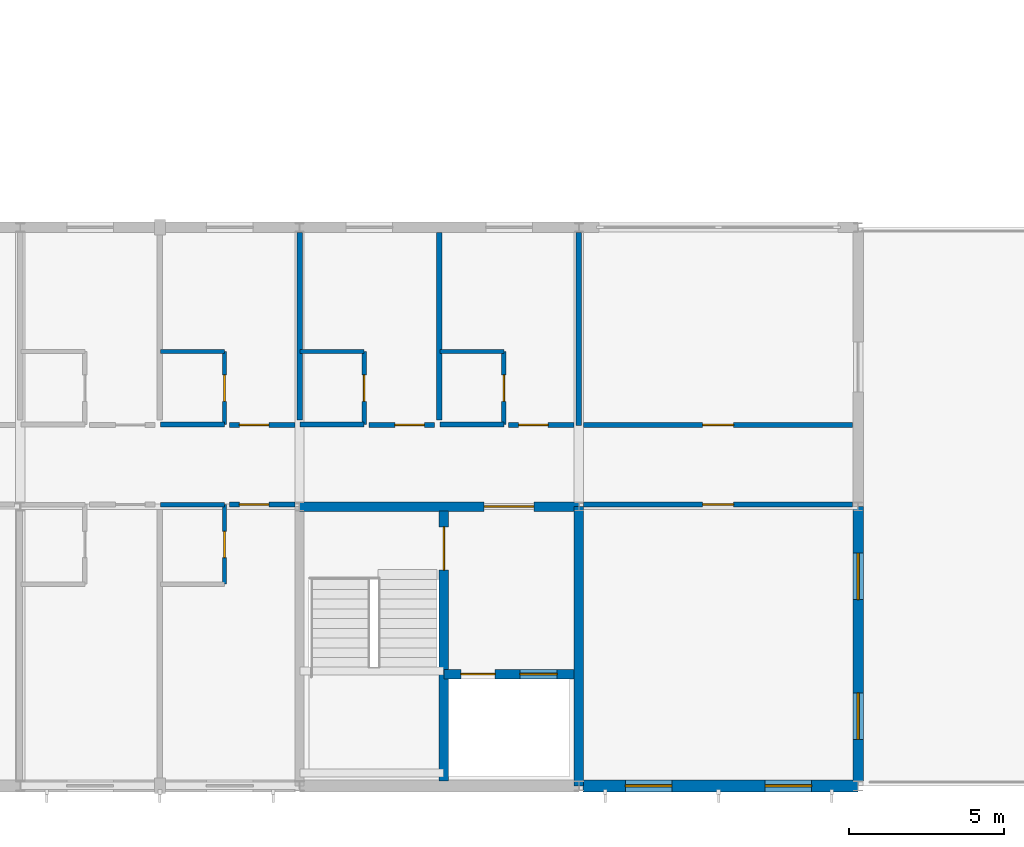
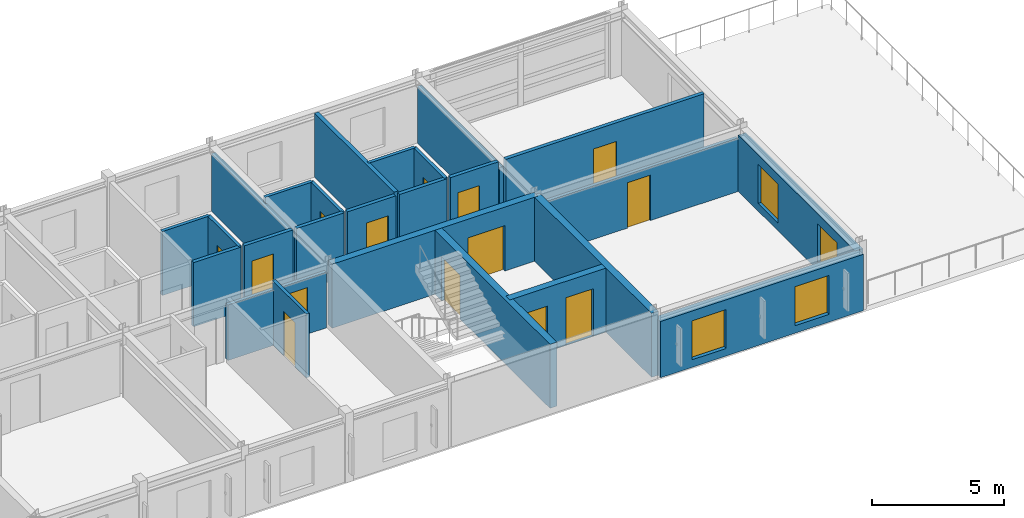
# One storey, part 12 of 18: 26 walls, 14 doors, 4 windows, 18 openings.
"""IFC4 building model written with IfcOpenShell, lengths in metres."""

from ifc_helpers import new_model, si_unit, direction, frame, frame_2d, origin, place, context, subcontext, project, spatial, rectangle, extrude, material, layer, layer_set, type_object, element, fill, save


model = new_model("IFC4")

# Units and contexts
model_context = context("Model", 3, precision=1e-05, world=origin(), true_north=direction((0.0, 1.0)))
body_context = subcontext(model_context, "Body", "Model", "MODEL_VIEW")
ifc_project = project(units=[si_unit("LENGTHUNIT", "METRE"), si_unit("AREAUNIT", "SQUARE_METRE"), si_unit("VOLUMEUNIT", "CUBIC_METRE"), si_unit("PLANEANGLEUNIT", "RADIAN"), si_unit("MASSUNIT", "GRAM", prefix="KILO")], contexts=[model_context])

# Site, building, storey
site_placement = place(None, origin())
site = spatial("IfcSite", under=ifc_project, at=site_placement, CompositionType="ELEMENT")
building_placement = place(site_placement, origin())
building = spatial("IfcBuilding", under=site, at=building_placement, Name="Palais des Congres Ocreval", CompositionType="ELEMENT")
storey_placement = place(building_placement, frame((0.0, 0.0, 23.679931640625)))
storey = spatial("IfcBuildingStorey", under=building, at=storey_placement, Name="L07", CompositionType="ELEMENT", Elevation=23.679931640625)

# Wall, opening, door
ifc_material_1 = material(Name="Moisture-resistant gypsum board")
ifc_layer_1 = layer(ifc_material_1, 0.139892578125)
ifc_layer_set_1 = layer_set([ifc_layer_1], Name="Bathroom Plumbing Chase Wall 140 Gypsum (Moisture-resistant gypsum board)")
wall_type_1 = type_object("IfcWallType", Name="Bathroom Plumbing Chase Wall 140 Gypsum", PredefinedType="PLUMBINGWALL", material=ifc_layer_set_1)
wall_1_placement = place(storey_placement, frame((33.580078125, 6.5, 0.0), z_axis=(0.0, 0.0, 1.0), x_axis=(0.0, 1.0, 0.0)))
wall_1 = element("IfcWall", 1, at=wall_1_placement, inside=storey, type_object=wall_type_1, Name="Bathroom Plumbing Wall PW03 L07", PredefinedType="PLUMBINGWALL", context=body_context, shape_type="SweptSolid", body=[
    extrude(rectangle(XDim=2.56005859375, YDim=0.139892578125, at=frame_2d((1.280029296875, 0.0))), origin(), (0.0, 0.0, 1.0), 2.9599609375),
])
opening_1_placement = place(wall_1_placement, frame((0.85498046875, 0.0, 0.0)))
opening_1 = element("IfcOpeningElement", 2, at=opening_1_placement, cuts=wall_1, Name="Opening D08", PredefinedType="OPENING", context=body_context, shape_type="SweptSolid", body=[
    extrude(rectangle(XDim=0.85009765625, YDim=2.0400390625, at=frame_2d((0.425048828125, 1.02001953125))), frame((0.0, 0.079833984375, 0.0), z_axis=(0.0, -1.0, 0.0), x_axis=(1.0, 0.0, 0.0)), (0.0, 0.0, 1.0), 0.159912109375),
])
ifc_material_2 = material(Name="Solid French oak", Category="wood")
door_type_1 = type_object("IfcDoorType", Name="En-Suite Bathroom Door 850x2040", OperationType="NOTDEFINED", PredefinedType="DOOR", material=ifc_material_2)
door_1_placement = place(opening_1_placement, origin())
door_1 = element("IfcDoor", 3, at=door_1_placement, inside=storey, type_object=door_type_1, Name="En-Suite Bathroom Door D08 L07", OperationType="SINGLE_SWING_RIGHT", OverallHeight=2.0400390625, OverallWidth=0.85009765625, PredefinedType="DOOR", context=body_context, shape_type="SweptSolid", body=[
    extrude(rectangle(XDim=0.85009765625, YDim=2.0400390625, at=frame_2d((0.425048828125, 1.02001953125))), frame((0.0, 0.02490234375, 0.0), z_axis=(0.0, -1.0, 0.0), x_axis=(1.0, 0.0, 0.0)), (0.0, 0.0, 1.0), 0.050048828125),
])
fill(opening_1, door_1)

wall_2_placement = place(storey_placement, frame((33.580078125, 11.639892578125, 0.0), z_axis=(0.0, 0.0, 1.0), x_axis=(0.0, 1.0, 0.0)))
wall_2 = element("IfcWall", 4, at=wall_2_placement, inside=storey, type_object=wall_type_1, Name="Bathroom Plumbing Wall PW03 L07", PredefinedType="PLUMBINGWALL", context=body_context, shape_type="SweptSolid", body=[
    extrude(rectangle(XDim=2.360107421875, YDim=0.139892578125, at=frame_2d((1.18017578125, 0.0))), origin(), (0.0, 0.0, 1.0), 2.9599609375),
])
opening_2_placement = place(wall_2_placement, frame((0.7548828125, 0.0, 0.0)))
opening_2 = element("IfcOpeningElement", 5, at=opening_2_placement, cuts=wall_2, Name="Opening D08", PredefinedType="OPENING", context=body_context, shape_type="SweptSolid", body=[
    extrude(rectangle(XDim=0.85009765625, YDim=2.0400390625, at=frame_2d((0.425048828125, 1.02001953125))), frame((0.0, 0.079833984375, 0.0), z_axis=(0.0, -1.0, 0.0), x_axis=(1.0, 0.0, 0.0)), (0.0, 0.0, 1.0), 0.159912109375),
])
door_2_placement = place(opening_2_placement, origin())
door_2 = element("IfcDoor", 6, at=door_2_placement, inside=storey, type_object=door_type_1, Name="En-Suite Bathroom Door D08 L07", OperationType="SINGLE_SWING_RIGHT", OverallHeight=2.0400390625, OverallWidth=0.85009765625, PredefinedType="DOOR", context=body_context, shape_type="SweptSolid", body=[
    extrude(rectangle(XDim=0.85009765625, YDim=2.0400390625, at=frame_2d((0.425048828125, 1.02001953125))), frame((0.0, 0.02490234375, 0.0), z_axis=(0.0, -1.0, 0.0), x_axis=(1.0, 0.0, 0.0)), (0.0, 0.0, 1.0), 0.050048828125),
])
fill(opening_2, door_2)

# Wall
wall_3_placement = place(storey_placement, frame((31.52001953125, 14.0, 0.0), z_axis=(0.0, 0.0, 1.0), x_axis=(1.0, 0.0, 0.0)))
element("IfcWall", 7, at=wall_3_placement, inside=storey, type_object=wall_type_1, Name="Bathroom Plumbing Wall PW03 L07", PredefinedType="PLUMBINGWALL", context=body_context, shape_type="SweptSolid", body=[
    extrude(rectangle(XDim=2.06005859375, YDim=0.139892578125, at=frame_2d((1.030029296875, 0.0))), origin(), (0.0, 0.0, 1.0), 2.9599609375),
])

# Wall, opening, door
wall_4_placement = place(storey_placement, frame((38.080078125, 11.639892578125, 0.0), z_axis=(0.0, 0.0, 1.0), x_axis=(0.0, 1.0, 0.0)))
wall_4 = element("IfcWall", 8, at=wall_4_placement, inside=storey, type_object=wall_type_1, Name="Bathroom Plumbing Wall PW03 L07", PredefinedType="PLUMBINGWALL", context=body_context, shape_type="SweptSolid", body=[
    extrude(rectangle(XDim=2.360107421875, YDim=0.139892578125, at=frame_2d((1.18017578125, 0.0))), origin(), (0.0, 0.0, 1.0), 2.9599609375),
])
opening_3_placement = place(wall_4_placement, frame((0.7548828125, 0.0, 0.0)))
opening_3 = element("IfcOpeningElement", 9, at=opening_3_placement, cuts=wall_4, Name="Opening D08", PredefinedType="OPENING", context=body_context, shape_type="SweptSolid", body=[
    extrude(rectangle(XDim=0.85009765625, YDim=2.0400390625, at=frame_2d((0.425048828125, 1.02001953125))), frame((0.0, 0.079833984375, 0.0), z_axis=(0.0, -1.0, 0.0), x_axis=(1.0, 0.0, 0.0)), (0.0, 0.0, 1.0), 0.159912109375),
])
door_3_placement = place(opening_3_placement, origin())
door_3 = element("IfcDoor", 10, at=door_3_placement, inside=storey, type_object=door_type_1, Name="En-Suite Bathroom Door D08 L07", OperationType="SINGLE_SWING_LEFT", OverallHeight=2.0400390625, OverallWidth=0.85009765625, PredefinedType="DOOR", context=body_context, shape_type="SweptSolid", body=[
    extrude(rectangle(XDim=0.85009765625, YDim=2.0400390625, at=frame_2d((0.425048828125, 1.02001953125))), frame((0.0, 0.02490234375, 0.0), z_axis=(0.0, -1.0, 0.0), x_axis=(1.0, 0.0, 0.0)), (0.0, 0.0, 1.0), 0.050048828125),
])
fill(opening_3, door_3)

# Wall
wall_5_placement = place(storey_placement, frame((36.02001953125, 14.0, 0.0), z_axis=(0.0, 0.0, 1.0), x_axis=(1.0, 0.0, 0.0)))
element("IfcWall", 11, at=wall_5_placement, inside=storey, type_object=wall_type_1, Name="Bathroom Plumbing Wall PW03 L07", PredefinedType="PLUMBINGWALL", context=body_context, shape_type="SweptSolid", body=[
    extrude(rectangle(XDim=2.06005859375, YDim=0.139892578125, at=frame_2d((1.030029296875, 0.0))), origin(), (0.0, 0.0, 1.0), 2.9599609375),
])

# Wall, opening, door
wall_6_placement = place(storey_placement, frame((42.580078125, 11.639892578125, 0.0), z_axis=(0.0, 0.0, 1.0), x_axis=(0.0, 1.0, 0.0)))
wall_6 = element("IfcWall", 12, at=wall_6_placement, inside=storey, type_object=wall_type_1, Name="Bathroom Plumbing Wall PW03 L07", PredefinedType="PLUMBINGWALL", context=body_context, shape_type="SweptSolid", body=[
    extrude(rectangle(XDim=2.360107421875, YDim=0.139892578125, at=frame_2d((1.18017578125, 0.0))), origin(), (0.0, 0.0, 1.0), 2.9599609375),
])
opening_4_placement = place(wall_6_placement, frame((0.7548828125, 0.0, 0.0)))
opening_4 = element("IfcOpeningElement", 13, at=opening_4_placement, cuts=wall_6, Name="Opening D08", PredefinedType="OPENING", context=body_context, shape_type="SweptSolid", body=[
    extrude(rectangle(XDim=0.85009765625, YDim=2.0400390625, at=frame_2d((0.425048828125, 1.02001953125))), frame((0.0, 0.079833984375, 0.0), z_axis=(0.0, -1.0, 0.0), x_axis=(1.0, 0.0, 0.0)), (0.0, 0.0, 1.0), 0.159912109375),
])
door_4_placement = place(opening_4_placement, origin())
door_4 = element("IfcDoor", 14, at=door_4_placement, inside=storey, type_object=door_type_1, Name="En-Suite Bathroom Door D08 L07", OperationType="SINGLE_SWING_RIGHT", OverallHeight=2.0400390625, OverallWidth=0.85009765625, PredefinedType="DOOR", context=body_context, shape_type="SweptSolid", body=[
    extrude(rectangle(XDim=0.85009765625, YDim=2.0400390625, at=frame_2d((0.425048828125, 1.02001953125))), frame((0.0, 0.02490234375, 0.0), z_axis=(0.0, -1.0, 0.0), x_axis=(1.0, 0.0, 0.0)), (0.0, 0.0, 1.0), 0.050048828125),
])
fill(opening_4, door_4)

# Walls
wall_7_placement = place(storey_placement, frame((40.52001953125, 14.0, 0.0), z_axis=(0.0, 0.0, 1.0), x_axis=(1.0, 0.0, 0.0)))
element("IfcWall", 15, at=wall_7_placement, inside=storey, type_object=wall_type_1, Name="Bathroom Plumbing Wall PW03 L07", PredefinedType="PLUMBINGWALL", context=body_context, shape_type="SweptSolid", body=[
    extrude(rectangle(XDim=2.06005859375, YDim=0.139892578125, at=frame_2d((1.030029296875, 0.0))), origin(), (0.0, 0.0, 1.0), 2.9599609375),
])
ifc_material_3 = material(Name="Concrete C40/50", Category="concrete")
ifc_layer_2 = layer(ifc_material_3, 0.300048828125)
ifc_layer_set_2 = layer_set([ifc_layer_2], Name="Core Shear Wall 300 Concrete C40/50")
wall_type_2 = type_object("IfcWallType", Name="Core Shear Wall 300 Concrete C40/50", PredefinedType="SHEAR", material=ifc_layer_set_2)
wall_8_placement = place(storey_placement, frame((45.0, 0.0, 0.0), z_axis=(0.0, 0.0, 1.0), x_axis=(0.0, 1.0, 0.0)))
element("IfcWall", 16, at=wall_8_placement, inside=storey, type_object=wall_type_2, Name="Core Shear Wall SC02 L07 E", PredefinedType="SHEAR", context=body_context, shape_type="SweptSolid", body=[
    extrude(rectangle(XDim=9.0, YDim=0.300048828125, at=frame_2d((4.5, 0.0))), origin(), (0.0, 0.0, 1.0), 2.9599609375),
])

# Wall, opening, door
wall_9_placement = place(storey_placement, frame((36.0, 9.0, 0.0), z_axis=(0.0, 0.0, 1.0), x_axis=(1.0, 0.0, 0.0)))
wall_9 = element("IfcWall", 17, at=wall_9_placement, inside=storey, type_object=wall_type_2, Name="Core Shear Wall SC02 L07 N", PredefinedType="SHEAR", context=body_context, shape_type="SweptSolid", body=[
    extrude(rectangle(XDim=9.0, YDim=0.300048828125, at=frame_2d((4.5, 0.0))), origin(), (0.0, 0.0, 1.0), 2.9599609375),
])
opening_5_placement = place(wall_9_placement, frame((5.949951171875, 0.0, 0.0)))
opening_5 = element("IfcOpeningElement", 18, at=opening_5_placement, cuts=wall_9, Name="Opening D02", PredefinedType="OPENING", context=body_context, shape_type="SweptSolid", body=[
    extrude(rectangle(XDim=1.60009765625, YDim=2.10009765625, at=frame_2d((0.800048828125, 1.050048828125))), frame((0.0, 0.159912109375, 0.0), z_axis=(0.0, -1.0, 0.0), x_axis=(1.0, 0.0, 0.0)), (0.0, 0.0, 1.0), 0.320068359375),
])
ifc_material_4 = material(Name="Painted fire-rated steel", Category="steel")
door_type_2 = type_object("IfcDoorType", Name="Firefighting Lobby Rated Door 1600x2100", OperationType="NOTDEFINED", PredefinedType="DOOR", material=ifc_material_4)
door_5_placement = place(opening_5_placement, origin())
door_5 = element("IfcDoor", 19, at=door_5_placement, inside=storey, type_object=door_type_2, Name="Firefighting Lobby Entrance Door SC02 L07", OperationType="DOUBLE_DOOR_SINGLE_SWING", OverallHeight=2.10009765625, OverallWidth=1.60009765625, PredefinedType="DOOR", context=body_context, shape_type="SweptSolid", body=[
    extrude(rectangle(XDim=1.60009765625, YDim=2.10009765625, at=frame_2d((0.800048828125, 1.050048828125))), frame((0.0, 0.02490234375, 0.0), z_axis=(0.0, -1.0, 0.0), x_axis=(1.0, 0.0, 0.0)), (0.0, 0.0, 1.0), 0.050048828125),
])
fill(opening_5, door_5)

wall_10_placement = place(storey_placement, frame((40.64990234375, 0.14990234375, 0.0), z_axis=(0.0, 0.0, 1.0), x_axis=(0.0, 1.0, 0.0)))
wall_10 = element("IfcWall", 20, at=wall_10_placement, inside=storey, type_object=wall_type_2, Name="Core Spine Shear Wall SC02 L07", PredefinedType="SHEAR", context=body_context, shape_type="SweptSolid", body=[
    extrude(rectangle(XDim=8.7001953125, YDim=0.300048828125, at=frame_2d((4.35009765625, 0.0))), origin(), (0.0, 0.0, 1.0), 2.9599609375),
])
opening_6_placement = place(wall_10_placement, frame((6.800048828125, 0.0, 0.0)))
opening_6 = element("IfcOpeningElement", 21, at=opening_6_placement, cuts=wall_10, Name="Opening D03", PredefinedType="OPENING", context=body_context, shape_type="SweptSolid", body=[
    extrude(rectangle(XDim=1.39990234375, YDim=2.02001953125, at=frame_2d((0.699951171875, 1.010009765625))), frame((0.0, 0.159912109375, 0.0), z_axis=(0.0, -1.0, 0.0), x_axis=(1.0, 0.0, 0.0)), (0.0, 0.0, 1.0), 0.320068359375),
])
door_type_3 = type_object("IfcDoorType", Name="Core Lobby Rated Door 1400x2020", OperationType="NOTDEFINED", PredefinedType="DOOR", material=ifc_material_4)
door_6_placement = place(opening_6_placement, origin())
door_6 = element("IfcDoor", 22, at=door_6_placement, inside=storey, type_object=door_type_3, Name="Protected Exit Stair Door ST02 L07", OperationType="SINGLE_SWING_RIGHT", OverallHeight=2.02001953125, OverallWidth=1.39990234375, PredefinedType="DOOR", context=body_context, shape_type="SweptSolid", body=[
    extrude(rectangle(XDim=1.39990234375, YDim=2.02001953125, at=frame_2d((0.699951171875, 1.010009765625))), frame((0.0, 0.02490234375, 0.0), z_axis=(0.0, -1.0, 0.0), x_axis=(1.0, 0.0, 0.0)), (0.0, 0.0, 1.0), 0.050048828125),
])
fill(opening_6, door_6)

# Wall, openings, doors
wall_11_placement = place(storey_placement, frame((40.64990234375, 3.60009765625, 0.0), z_axis=(0.0, 0.0, 1.0), x_axis=(1.0, 0.0, 0.0)))
wall_11 = element("IfcWall", 23, at=wall_11_placement, inside=storey, type_object=wall_type_2, Name="Lift Shaft Front Wall SC02 L07", PredefinedType="SHEAR", context=body_context, shape_type="SweptSolid", body=[
    extrude(rectangle(XDim=4.2001953125, YDim=0.300048828125, at=frame_2d((2.10009765625, 0.0))), origin(), (0.0, 0.0, 1.0), 2.9599609375),
])
opening_7_placement = place(wall_11_placement, frame((0.550048828125, 0.0, 0.0)))
opening_7 = element("IfcOpeningElement", 24, at=opening_7_placement, cuts=wall_11, Name="Opening LD01", PredefinedType="OPENING", context=body_context, shape_type="SweptSolid", body=[
    extrude(rectangle(XDim=1.10009765625, YDim=2.10009765625, at=frame_2d((0.550048828125, 1.050048828125))), frame((0.0, 0.159912109375, 0.0), z_axis=(0.0, -1.0, 0.0), x_axis=(1.0, 0.0, 0.0)), (0.0, 0.0, 1.0), 0.320068359375),
])
opening_8_placement = place(wall_11_placement, frame((2.449951171875, 0.0, 0.0)))
opening_8 = element("IfcOpeningElement", 25, at=opening_8_placement, cuts=wall_11, Name="Opening LD02", PredefinedType="OPENING", context=body_context, shape_type="SweptSolid", body=[
    extrude(rectangle(XDim=1.199951171875, YDim=2.199951171875, at=frame_2d((0.60009765625, 1.10009765625))), frame((0.0, 0.159912109375, 0.0), z_axis=(0.0, -1.0, 0.0), x_axis=(1.0, 0.0, 0.0)), (0.0, 0.0, 1.0), 0.320068359375),
])
ifc_material_5 = material(Name="Stainless steel", Category="steel")
door_type_4 = type_object("IfcDoorType", Name="Firefighting Lift Sliding Landing Door 1100x2100", OperationType="NOTDEFINED", PredefinedType="DOOR", material=ifc_material_5)
door_7_placement = place(opening_7_placement, origin())
door_7 = element("IfcDoor", 26, at=door_7_placement, inside=storey, type_object=door_type_4, Name="Lift Landing Sliding Door FF2 L07", OperationType="DOUBLE_DOOR_SLIDING", OverallHeight=2.10009765625, OverallWidth=1.10009765625, PredefinedType="DOOR", context=body_context, shape_type="SweptSolid", body=[
    extrude(rectangle(XDim=1.10009765625, YDim=2.10009765625, at=frame_2d((0.550048828125, 1.050048828125))), frame((0.0, 0.02490234375, 0.0), z_axis=(0.0, -1.0, 0.0), x_axis=(1.0, 0.0, 0.0)), (0.0, 0.0, 1.0), 0.050048828125),
])
fill(opening_7, door_7)
ifc_material_6 = material(Name="Anodized bronze steel", Category="steel")
door_type_5 = type_object("IfcDoorType", Name="Passenger and Service Lift Sliding Door 1200x2200", OperationType="NOTDEFINED", PredefinedType="DOOR", material=ifc_material_6)
door_8_placement = place(opening_8_placement, origin())
door_8 = element("IfcDoor", 27, at=door_8_placement, inside=storey, type_object=door_type_5, Name="Lift Landing Sliding Door PL2 L07", OperationType="DOUBLE_DOOR_SLIDING", OverallHeight=2.199951171875, OverallWidth=1.199951171875, PredefinedType="DOOR", context=body_context, shape_type="SweptSolid", body=[
    extrude(rectangle(XDim=1.199951171875, YDim=2.199951171875, at=frame_2d((0.60009765625, 1.10009765625))), frame((0.0, 0.02490234375, 0.0), z_axis=(0.0, -1.0, 0.0), x_axis=(1.0, 0.0, 0.0)), (0.0, 0.0, 1.0), 0.050048828125),
])
fill(opening_8, door_8)

# Walls
ifc_material_7 = material(Name="Gypsum acoustic partition")
ifc_layer_3 = layer(ifc_material_7, 0.159912109375)
ifc_layer_set_3 = layer_set([ifc_layer_3], Name="Corridor Fire Partition 160 Gypsum (Gypsum acoustic partition)")
wall_type_3 = type_object("IfcWallType", Name="Corridor Fire Partition 160 Gypsum", PredefinedType="PARTITIONING", material=ifc_layer_set_3)
wall_12_placement = place(storey_placement, frame((31.52001953125, 9.06005859375, 0.0), z_axis=(0.0, 0.0, 1.0), x_axis=(1.0, 0.0, 0.0)))
element("IfcWall", 28, at=wall_12_placement, inside=storey, type_object=wall_type_3, Name="Corridor Partition IW03 L07", PredefinedType="PARTITIONING", context=body_context, shape_type="SweptSolid", body=[
    extrude(rectangle(XDim=2.06005859375, YDim=0.159912109375, at=frame_2d((1.030029296875, 0.0))), origin(), (0.0, 0.0, 1.0), 2.56005859375),
])
for number, where, z_axis, x_axis, name in (
    (29, (31.52001953125, 11.639892578125, 0.0), (0.0, 0.0, 1.0), (1.0, 0.0, 0.0), "Corridor Partition IW03 L07"),
    (30, (36.02001953125, 11.639892578125, 0.0), (0.0, 0.0, 1.0), (1.0, 0.0, 0.0), "Corridor Partition IW03 L07"),
    (31, (40.52001953125, 11.639892578125, 0.0), (0.0, 0.0, 1.0), (1.0, 0.0, 0.0), "Corridor Partition IW03 L07"),
):
    element("IfcWall", number, at=place(storey_placement, frame(where, z_axis=z_axis, x_axis=x_axis)), inside=storey, type_object=wall_type_3, Name=name, PredefinedType="PARTITIONING", context=body_context, shape_type="SweptSolid", body=[
        extrude(rectangle(XDim=2.06005859375, YDim=0.159912109375, at=frame_2d((1.030029296875, 0.0))), origin(), (0.0, 0.0, 1.0), 2.9599609375),
    ])

# Wall, opening, door
wall_13_placement = place(storey_placement, frame((33.735107421875, 9.06494140625, 0.0), z_axis=(0.0, 0.0, 1.0), x_axis=(1.0, 0.0, 0.0)))
wall_13 = element("IfcWall", 32, at=wall_13_placement, inside=storey, type_object=wall_type_3, Name="Interior Partition IW03 L07", PredefinedType="PARTITIONING", context=body_context, shape_type="SweptSolid", body=[
    extrude(rectangle(XDim=2.10986328125, YDim=0.159912109375, at=frame_2d((1.054931640625, 0.0))), origin(), (0.0, 0.0, 1.0), 2.56005859375),
])
opening_9_placement = place(wall_13_placement, frame((0.326904296875, 0.0, 0.0)))
opening_9 = element("IfcOpeningElement", 33, at=opening_9_placement, cuts=wall_13, Name="Opening D05", PredefinedType="OPENING", context=body_context, shape_type="SweptSolid", body=[
    extrude(rectangle(XDim=0.949951171875, YDim=2.14990234375, at=frame_2d((0.47509765625, 1.074951171875))), frame((0.0, 0.08984375, 0.0), z_axis=(0.0, -1.0, 0.0), x_axis=(1.0, 0.0, 0.0)), (0.0, 0.0, 1.0), 0.179931640625),
])
door_type_6 = type_object("IfcDoorType", Name="Hotel Guestroom Entrance Door 950x2150", OperationType="NOTDEFINED", PredefinedType="DOOR", material=ifc_material_2)
door_9_placement = place(opening_9_placement, origin())
door_9 = element("IfcDoor", 34, at=door_9_placement, inside=storey, type_object=door_type_6, Name="Interior Door D05 L07", OperationType="SINGLE_SWING_LEFT", OverallHeight=2.14990234375, OverallWidth=0.949951171875, PredefinedType="DOOR", context=body_context, shape_type="SweptSolid", body=[
    extrude(rectangle(XDim=0.949951171875, YDim=2.14990234375, at=frame_2d((0.47509765625, 1.074951171875))), frame((0.0, 0.02490234375, 0.0), z_axis=(0.0, -1.0, 0.0), x_axis=(1.0, 0.0, 0.0)), (0.0, 0.0, 1.0), 0.050048828125),
])
fill(opening_9, door_9)

wall_14_placement = place(storey_placement, frame((45.155029296875, 9.06494140625, 0.0), z_axis=(0.0, 0.0, 1.0), x_axis=(1.0, 0.0, 0.0)))
wall_14 = element("IfcWall", 35, at=wall_14_placement, inside=storey, type_object=wall_type_3, Name="Interior Partition IW03 L07", PredefinedType="PARTITIONING", context=body_context, shape_type="SweptSolid", body=[
    extrude(rectangle(XDim=8.669921875, YDim=0.159912109375, at=frame_2d((4.3349609375, 0.0))), origin(), (0.0, 0.0, 1.0), 2.4599609375),
])
opening_10_placement = place(wall_14_placement, frame((3.8349609375, 0.0, 0.0)))
opening_10 = element("IfcOpeningElement", 36, at=opening_10_placement, cuts=wall_14, Name="Opening D10", PredefinedType="OPENING", context=body_context, shape_type="SweptSolid", body=[
    extrude(rectangle(XDim=1.0, YDim=2.10009765625, at=frame_2d((0.5, 1.050048828125))), frame((0.0, 0.08984375, 0.0), z_axis=(0.0, -1.0, 0.0), x_axis=(1.0, 0.0, 0.0)), (0.0, 0.0, 1.0), 0.179931640625),
])
ifc_material_8 = material(Name="Painted steel", Category="steel")
door_type_7 = type_object("IfcDoorType", Name="Service and Pantry Door 1000x2100", OperationType="NOTDEFINED", PredefinedType="DOOR", material=ifc_material_8)
door_10_placement = place(opening_10_placement, origin())
door_10 = element("IfcDoor", 37, at=door_10_placement, inside=storey, type_object=door_type_7, Name="Interior Door D10 L07", OperationType="SINGLE_SWING_LEFT", OverallHeight=2.10009765625, OverallWidth=1.0, PredefinedType="DOOR", context=body_context, shape_type="SweptSolid", body=[
    extrude(rectangle(XDim=1.0, YDim=2.10009765625, at=frame_2d((0.5, 1.050048828125))), frame((0.0, 0.02490234375, 0.0), z_axis=(0.0, -1.0, 0.0), x_axis=(1.0, 0.0, 0.0)), (0.0, 0.0, 1.0), 0.050048828125),
])
fill(opening_10, door_10)

wall_15_placement = place(storey_placement, frame((33.735107421875, 11.635009765625, 0.0), z_axis=(0.0, 0.0, 1.0), x_axis=(1.0, 0.0, 0.0)))
wall_15 = element("IfcWall", 38, at=wall_15_placement, inside=storey, type_object=wall_type_3, Name="Interior Partition IW03 L07", PredefinedType="PARTITIONING", context=body_context, shape_type="SweptSolid", body=[
    extrude(rectangle(XDim=2.10986328125, YDim=0.159912109375, at=frame_2d((1.054931640625, 0.0))), origin(), (0.0, 0.0, 1.0), 2.9599609375),
])
opening_11_placement = place(wall_15_placement, frame((0.326904296875, 0.0, 0.0)))
opening_11 = element("IfcOpeningElement", 39, at=opening_11_placement, cuts=wall_15, Name="Opening D05", PredefinedType="OPENING", context=body_context, shape_type="SweptSolid", body=[
    extrude(rectangle(XDim=0.949951171875, YDim=2.14990234375, at=frame_2d((0.47509765625, 1.074951171875))), frame((0.0, 0.08984375, 0.0), z_axis=(0.0, -1.0, 0.0), x_axis=(1.0, 0.0, 0.0)), (0.0, 0.0, 1.0), 0.179931640625),
])
door_11_placement = place(opening_11_placement, origin())
door_11 = element("IfcDoor", 40, at=door_11_placement, inside=storey, type_object=door_type_6, Name="Interior Door D05 L07", OperationType="SINGLE_SWING_LEFT", OverallHeight=2.14990234375, OverallWidth=0.949951171875, PredefinedType="DOOR", context=body_context, shape_type="SweptSolid", body=[
    extrude(rectangle(XDim=0.949951171875, YDim=2.14990234375, at=frame_2d((0.47509765625, 1.074951171875))), frame((0.0, 0.02490234375, 0.0), z_axis=(0.0, -1.0, 0.0), x_axis=(1.0, 0.0, 0.0)), (0.0, 0.0, 1.0), 0.050048828125),
])
fill(opening_11, door_11)

wall_16_placement = place(storey_placement, frame((38.235107421875, 11.635009765625, 0.0), z_axis=(0.0, 0.0, 1.0), x_axis=(1.0, 0.0, 0.0)))
wall_16 = element("IfcWall", 41, at=wall_16_placement, inside=storey, type_object=wall_type_3, Name="Interior Partition IW03 L07", PredefinedType="PARTITIONING", context=body_context, shape_type="SweptSolid", body=[
    extrude(rectangle(XDim=2.10986328125, YDim=0.159912109375, at=frame_2d((1.054931640625, 0.0))), origin(), (0.0, 0.0, 1.0), 2.9599609375),
])
opening_12_placement = place(wall_16_placement, frame((0.833251953125, 0.0, 0.0)))
opening_12 = element("IfcOpeningElement", 42, at=opening_12_placement, cuts=wall_16, Name="Opening D05", PredefinedType="OPENING", context=body_context, shape_type="SweptSolid", body=[
    extrude(rectangle(XDim=0.949951171875, YDim=2.14990234375, at=frame_2d((0.47509765625, 1.074951171875))), frame((0.0, 0.08984375, 0.0), z_axis=(0.0, -1.0, 0.0), x_axis=(1.0, 0.0, 0.0)), (0.0, 0.0, 1.0), 0.179931640625),
])
door_12_placement = place(opening_12_placement, origin())
door_12 = element("IfcDoor", 43, at=door_12_placement, inside=storey, type_object=door_type_6, Name="Interior Door D05 L07", OperationType="SINGLE_SWING_RIGHT", OverallHeight=2.14990234375, OverallWidth=0.949951171875, PredefinedType="DOOR", context=body_context, shape_type="SweptSolid", body=[
    extrude(rectangle(XDim=0.949951171875, YDim=2.14990234375, at=frame_2d((0.47509765625, 1.074951171875))), frame((0.0, 0.02490234375, 0.0), z_axis=(0.0, -1.0, 0.0), x_axis=(1.0, 0.0, 0.0)), (0.0, 0.0, 1.0), 0.050048828125),
])
fill(opening_12, door_12)

wall_17_placement = place(storey_placement, frame((42.735107421875, 11.635009765625, 0.0), z_axis=(0.0, 0.0, 1.0), x_axis=(1.0, 0.0, 0.0)))
wall_17 = element("IfcWall", 44, at=wall_17_placement, inside=storey, type_object=wall_type_3, Name="Interior Partition IW03 L07", PredefinedType="PARTITIONING", context=body_context, shape_type="SweptSolid", body=[
    extrude(rectangle(XDim=2.10986328125, YDim=0.159912109375, at=frame_2d((1.054931640625, 0.0))), origin(), (0.0, 0.0, 1.0), 2.9599609375),
])
opening_13_placement = place(wall_17_placement, frame((0.326904296875, 0.0, 0.0)))
opening_13 = element("IfcOpeningElement", 45, at=opening_13_placement, cuts=wall_17, Name="Opening D05", PredefinedType="OPENING", context=body_context, shape_type="SweptSolid", body=[
    extrude(rectangle(XDim=0.949951171875, YDim=2.14990234375, at=frame_2d((0.47509765625, 1.074951171875))), frame((0.0, 0.08984375, 0.0), z_axis=(0.0, -1.0, 0.0), x_axis=(1.0, 0.0, 0.0)), (0.0, 0.0, 1.0), 0.179931640625),
])
door_13_placement = place(opening_13_placement, origin())
door_13 = element("IfcDoor", 46, at=door_13_placement, inside=storey, type_object=door_type_6, Name="Interior Door D05 L07", OperationType="SINGLE_SWING_LEFT", OverallHeight=2.14990234375, OverallWidth=0.949951171875, PredefinedType="DOOR", context=body_context, shape_type="SweptSolid", body=[
    extrude(rectangle(XDim=0.949951171875, YDim=2.14990234375, at=frame_2d((0.47509765625, 1.074951171875))), frame((0.0, 0.02490234375, 0.0), z_axis=(0.0, -1.0, 0.0), x_axis=(1.0, 0.0, 0.0)), (0.0, 0.0, 1.0), 0.050048828125),
])
fill(opening_13, door_13)

wall_18_placement = place(storey_placement, frame((45.155029296875, 11.635009765625, 0.0), z_axis=(0.0, 0.0, 1.0), x_axis=(1.0, 0.0, 0.0)))
wall_18 = element("IfcWall", 47, at=wall_18_placement, inside=storey, type_object=wall_type_3, Name="Interior Partition IW03 L07", PredefinedType="PARTITIONING", context=body_context, shape_type="SweptSolid", body=[
    extrude(rectangle(XDim=8.669921875, YDim=0.159912109375, at=frame_2d((4.3349609375, 0.0))), origin(), (0.0, 0.0, 1.0), 2.9599609375),
])
opening_14_placement = place(wall_18_placement, frame((3.8349609375, 0.0, 0.0)))
opening_14 = element("IfcOpeningElement", 48, at=opening_14_placement, cuts=wall_18, Name="Opening D10", PredefinedType="OPENING", context=body_context, shape_type="SweptSolid", body=[
    extrude(rectangle(XDim=1.0, YDim=2.10009765625, at=frame_2d((0.5, 1.050048828125))), frame((0.0, 0.08984375, 0.0), z_axis=(0.0, -1.0, 0.0), x_axis=(1.0, 0.0, 0.0)), (0.0, 0.0, 1.0), 0.179931640625),
])
door_14_placement = place(opening_14_placement, origin())
door_14 = element("IfcDoor", 49, at=door_14_placement, inside=storey, type_object=door_type_7, Name="Interior Door D10 L07", OperationType="SINGLE_SWING_LEFT", OverallHeight=2.10009765625, OverallWidth=1.0, PredefinedType="DOOR", context=body_context, shape_type="SweptSolid", body=[
    extrude(rectangle(XDim=1.0, YDim=2.10009765625, at=frame_2d((0.5, 1.050048828125))), frame((0.0, 0.02490234375, 0.0), z_axis=(0.0, -1.0, 0.0), x_axis=(1.0, 0.0, 0.0)), (0.0, 0.0, 1.0), 0.050048828125),
])
fill(opening_14, door_14)

# Walls
ifc_layer_4 = layer(ifc_material_7, 0.179931640625)
ifc_layer_set_4 = layer_set([ifc_layer_4], Name="Hotel Inter-Room Acoustic Partition 180 Gypsum (Gypsum acoustic partition)")
wall_type_4 = type_object("IfcWallType", Name="Hotel Inter-Room Acoustic Partition 180 Gypsum", PredefinedType="PARTITIONING", material=ifc_layer_set_4)
wall_19_placement = place(storey_placement, frame((36.0, 11.794921875, 0.0), z_axis=(0.0, 0.0, 1.0), x_axis=(0.0, 1.0, 0.0)))
element("IfcWall", 50, at=wall_19_placement, inside=storey, type_object=wall_type_4, Name="Hotel Party Partition IW02 L07", PredefinedType="PARTITIONING", context=body_context, shape_type="SweptSolid", body=[
    extrude(rectangle(XDim=6.030029296875, YDim=0.179931640625, at=frame_2d((3.01513671875, 0.0))), origin(), (0.0, 0.0, 1.0), 2.670166015625),
])
wall_20_placement = place(storey_placement, frame((40.5, 11.794921875, 0.0), z_axis=(0.0, 0.0, 1.0), x_axis=(0.0, 1.0, 0.0)))
element("IfcWall", 51, at=wall_20_placement, inside=storey, type_object=wall_type_4, Name="Hotel Party Partition IW02 L07", PredefinedType="PARTITIONING", context=body_context, shape_type="SweptSolid", body=[
    extrude(rectangle(XDim=6.030029296875, YDim=0.179931640625, at=frame_2d((3.01513671875, 0.0))), origin(), (0.0, 0.0, 1.0), 2.9599609375),
])
wall_21_placement = place(storey_placement, frame((45.0, 11.6201171875, 0.0), z_axis=(0.0, 0.0, 1.0), x_axis=(0.0, 1.0, 0.0)))
element("IfcWall", 52, at=wall_21_placement, inside=storey, type_object=wall_type_4, Name="Hotel Party Partition IW02 L07", PredefinedType="PARTITIONING", context=body_context, shape_type="SweptSolid", body=[
    extrude(rectangle(XDim=6.204833984375, YDim=0.179931640625, at=frame_2d((3.1025390625, 0.0))), origin(), (0.0, 0.0, 1.0), 2.630126953125),
])

# Wall, openings, windows
ifc_layer_5 = layer(ifc_material_3, 0.3798828125)
ifc_layer_set_5 = layer_set([ifc_layer_5], Name="Lutetian Limestone Street Wall 380 Concrete C40/50")
wall_type_5 = type_object("IfcWallType", Name="Lutetian Limestone Street Wall 380 Concrete C40/50", PredefinedType="SOLIDWALL", material=ifc_layer_set_5)
wall_22_placement = place(storey_placement, frame((54.0, 0.0, 0.0), z_axis=(0.0, 0.0, 1.0), x_axis=(-1.0, 0.0, 0.0)))
wall_22 = element("IfcWall", 53, at=wall_22_placement, inside=storey, type_object=wall_type_5, Name="Exterior Wall EW03 L07", PredefinedType="SOLIDWALL", context=body_context, shape_type="SweptSolid", body=[
    extrude(rectangle(XDim=8.8701171875, YDim=0.3798828125, at=frame_2d((4.43505859375, 0.0))), origin(), (0.0, 0.0, 1.0), 2.60009765625),
])
opening_15_placement = place(wall_22_placement, frame((1.5, 0.0, 0.35009765625)))
opening_15 = element("IfcOpeningElement", 54, at=opening_15_placement, cuts=wall_22, Name="Opening WN06", PredefinedType="OPENING", context=body_context, shape_type="SweptSolid", body=[
    extrude(rectangle(XDim=1.5, YDim=1.800048828125, at=frame_2d((0.75, 0.89990234375))), frame((0.0, 0.199951171875, 0.0), z_axis=(0.0, -1.0, 0.0), x_axis=(1.0, 0.0, 0.0)), (0.0, 0.0, 1.0), 0.39990234375),
])
opening_16_placement = place(wall_22_placement, frame((6.0, 0.0, 0.35009765625)))
opening_16 = element("IfcOpeningElement", 55, at=opening_16_placement, cuts=wall_22, Name="Opening WN06", PredefinedType="OPENING", context=body_context, shape_type="SweptSolid", body=[
    extrude(rectangle(XDim=1.5, YDim=1.800048828125, at=frame_2d((0.75, 0.89990234375))), frame((0.0, 0.199951171875, 0.0), z_axis=(0.0, -1.0, 0.0), x_axis=(1.0, 0.0, 0.0)), (0.0, 0.0, 1.0), 0.39990234375),
])
ifc_material_9 = material(Name="Anodized bronze aluminium and low-E glass", Category="glass")
window_type = type_object("IfcWindowType", Name="Upper Setback Window 1500x1800", PartitioningType="SINGLE_PANEL", PredefinedType="WINDOW", material=ifc_material_9)
window_1_placement = place(opening_15_placement, origin())
window_1 = element("IfcWindow", 56, at=window_1_placement, inside=storey, type_object=window_type, Name="Hotel Facade Window WN06", OverallHeight=1.800048828125, OverallWidth=1.5, PartitioningType="SINGLE_PANEL", PredefinedType="WINDOW", context=body_context, shape_type="SweptSolid", body=[
    extrude(rectangle(XDim=1.5, YDim=1.800048828125, at=frame_2d((0.75, 0.89990234375))), frame((0.0, 0.030029296875, 0.0), z_axis=(0.0, -1.0, 0.0), x_axis=(1.0, 0.0, 0.0)), (0.0, 0.0, 1.0), 0.06005859375),
])
fill(opening_15, window_1)
window_2_placement = place(opening_16_placement, origin())
window_2 = element("IfcWindow", 57, at=window_2_placement, inside=storey, type_object=window_type, Name="Hotel Facade Window WN06", OverallHeight=1.800048828125, OverallWidth=1.5, PartitioningType="SINGLE_PANEL", PredefinedType="WINDOW", context=body_context, shape_type="SweptSolid", body=[
    extrude(rectangle(XDim=1.5, YDim=1.800048828125, at=frame_2d((0.75, 0.89990234375))), frame((0.0, 0.030029296875, 0.0), z_axis=(0.0, -1.0, 0.0), x_axis=(1.0, 0.0, 0.0)), (0.0, 0.0, 1.0), 0.06005859375),
])
fill(opening_16, window_2)

ifc_layer_6 = layer(ifc_material_3, 0.340087890625)
ifc_layer_set_6 = layer_set([ifc_layer_6], Name="Ochre Mineral-Lime Courtyard Wall 340 Concrete C40/50")
wall_type_6 = type_object("IfcWallType", Name="Ochre Mineral-Lime Courtyard Wall 340 Concrete C40/50", PredefinedType="SOLIDWALL", material=ifc_layer_set_6)
wall_23_placement = place(storey_placement, frame((54.0, 9.0, 0.0), z_axis=(0.0, 0.0, 1.0), x_axis=(0.0, -1.0, 0.0)))
wall_23 = element("IfcWall", 58, at=wall_23_placement, inside=storey, type_object=wall_type_6, Name="Exterior Wall EW04 L07", PredefinedType="SOLIDWALL", context=body_context, shape_type="SweptSolid", body=[
    extrude(rectangle(XDim=8.844970703125, YDim=0.340087890625, at=frame_2d((4.42236328125, 0.0))), origin(), (0.0, 0.0, 1.0), 2.60009765625),
])
opening_17_placement = place(wall_23_placement, frame((1.5, 0.0, 0.35009765625)))
opening_17 = element("IfcOpeningElement", 59, at=opening_17_placement, cuts=wall_23, Name="Opening WN06", PredefinedType="OPENING", context=body_context, shape_type="SweptSolid", body=[
    extrude(rectangle(XDim=1.5, YDim=1.800048828125, at=frame_2d((0.75, 0.89990234375))), frame((0.0, 0.179931640625, 0.0), z_axis=(0.0, -1.0, 0.0), x_axis=(1.0, 0.0, 0.0)), (0.0, 0.0, 1.0), 0.360107421875),
])
opening_18_placement = place(wall_23_placement, frame((6.0, 0.0, 0.35009765625)))
opening_18 = element("IfcOpeningElement", 60, at=opening_18_placement, cuts=wall_23, Name="Opening WN06", PredefinedType="OPENING", context=body_context, shape_type="SweptSolid", body=[
    extrude(rectangle(XDim=1.5, YDim=1.800048828125, at=frame_2d((0.75, 0.89990234375))), frame((0.0, 0.179931640625, 0.0), z_axis=(0.0, -1.0, 0.0), x_axis=(1.0, 0.0, 0.0)), (0.0, 0.0, 1.0), 0.360107421875),
])
window_3_placement = place(opening_17_placement, origin())
window_3 = element("IfcWindow", 61, at=window_3_placement, inside=storey, type_object=window_type, Name="Hotel Facade Window WN06", OverallHeight=1.800048828125, OverallWidth=1.5, PartitioningType="SINGLE_PANEL", PredefinedType="WINDOW", context=body_context, shape_type="SweptSolid", body=[
    extrude(rectangle(XDim=1.5, YDim=1.800048828125, at=frame_2d((0.75, 0.89990234375))), frame((0.0, 0.030029296875, 0.0), z_axis=(0.0, -1.0, 0.0), x_axis=(1.0, 0.0, 0.0)), (0.0, 0.0, 1.0), 0.06005859375),
])
fill(opening_17, window_3)
window_4_placement = place(opening_18_placement, origin())
window_4 = element("IfcWindow", 62, at=window_4_placement, inside=storey, type_object=window_type, Name="Hotel Facade Window WN06", OverallHeight=1.800048828125, OverallWidth=1.5, PartitioningType="SINGLE_PANEL", PredefinedType="WINDOW", context=body_context, shape_type="SweptSolid", body=[
    extrude(rectangle(XDim=1.5, YDim=1.800048828125, at=frame_2d((0.75, 0.89990234375))), frame((0.0, 0.030029296875, 0.0), z_axis=(0.0, -1.0, 0.0), x_axis=(1.0, 0.0, 0.0)), (0.0, 0.0, 1.0), 0.06005859375),
])
fill(opening_18, window_4)

save(model, "model.ifc")
